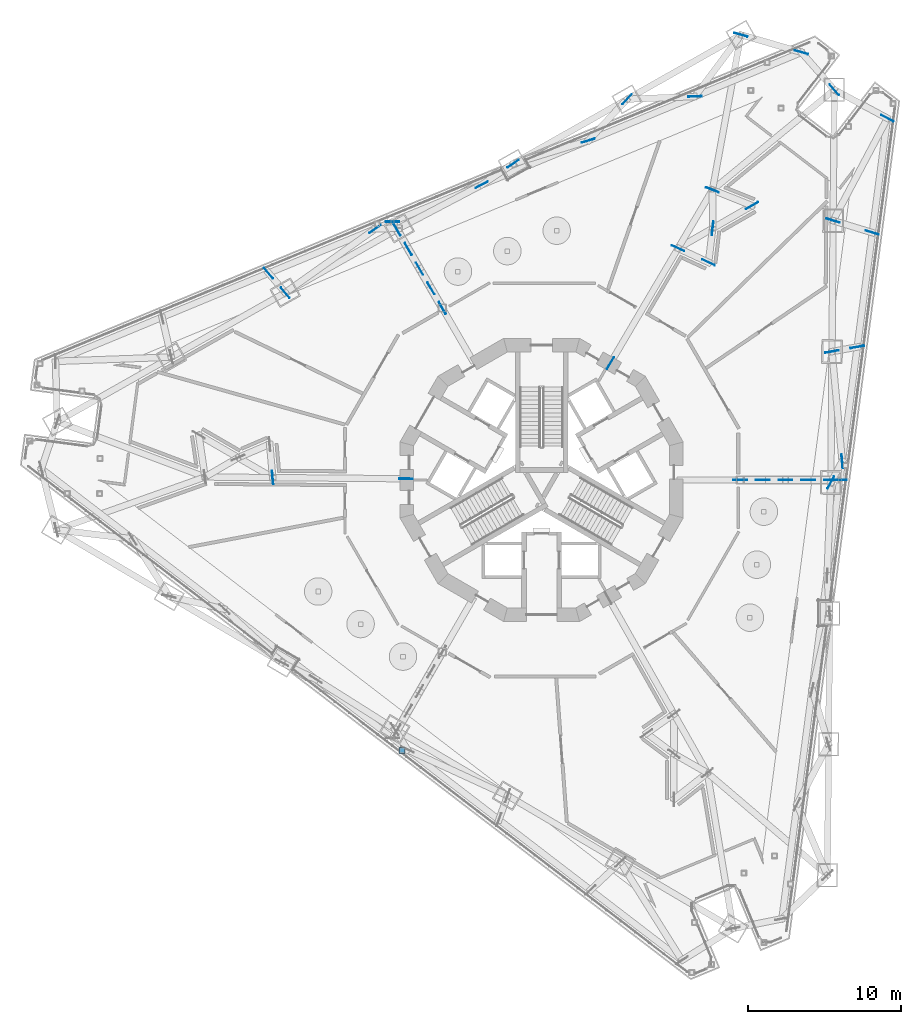
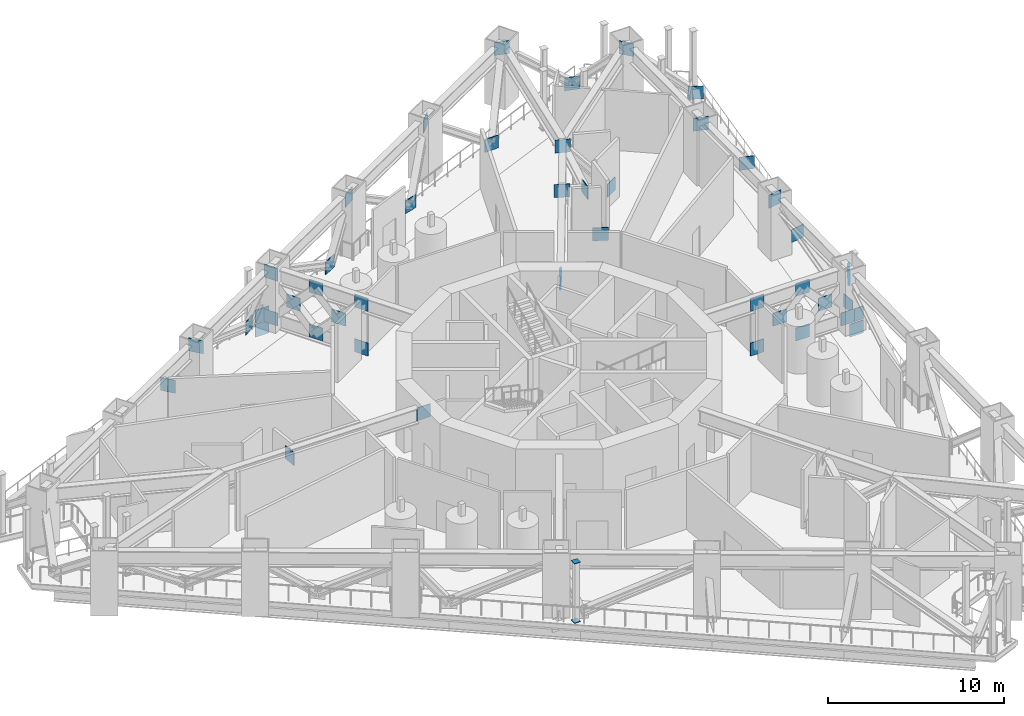
# One storey, part 14 of 23: 47 discrete accessories.
"""IFC4 building model written with IfcOpenShell, lengths in metres."""

from ifc_helpers import new_model, si_unit, direction, frame, origin, origin_2d, place, context, subcontext, project, spatial, rectangle, extrude, material, element, save


model = new_model("IFC4")

# Units and contexts
model_context = context("Model", 3, precision=1e-05, world=origin(), true_north=direction((0.0, 1.0)))
body_context = subcontext(model_context, "Body", "Model", "MODEL_VIEW")
ifc_project = project(units=[si_unit("LENGTHUNIT", "METRE"), si_unit("AREAUNIT", "SQUARE_METRE"), si_unit("VOLUMEUNIT", "CUBIC_METRE"), si_unit("PLANEANGLEUNIT", "RADIAN"), si_unit("MASSUNIT", "GRAM", prefix="KILO")], contexts=[model_context])

# Site, building, storey
site_placement = place(None, origin())
site = spatial("IfcSite", under=ifc_project, at=site_placement, CompositionType="ELEMENT")
building_placement = place(site_placement, origin())
building = spatial("IfcBuilding", under=site, at=building_placement, Name="Trine Commons Tower", CompositionType="ELEMENT")
storey_placement = place(building_placement, frame((0.0, 0.0, 156.60009765625)))
storey = spatial("IfcBuildingStorey", under=building, at=storey_placement, Name="L40", CompositionType="ELEMENT", Elevation=156.60009765625)

# Discrete accessories
ifc_material = material(Name="Structural steel ASTM A572 Gr50", Category="steel")
for number, where, z_axis, x_axis, name in (
    (1, (70.239990234375, 79.405029296875, -0.900146484375), (0.0, 0.0, 1.0), (1.0, 0.0, 0.0), "Gusset plate GP4-02"),
    (2, (99.520263671875, 62.5, -0.900146484375), (0.0, 0.0, 1.0), (1.0, 0.0, 0.0), "Gusset plate GP4-03"),
    (3, (62.128173828125, 76.044921875, 0.032470703125), (0.0, 0.0, 1.0), (0.646416992235, -0.762984319727, 0.0), "Gusset plate GP4-10"),
    (4, (69.105224609375, 78.93505859375, 0.032470703125), (0.0, 0.0, 1.0), (-0.81596610035, -0.578099751842, 0.0), "Gusset plate GP4-13"),
    (5, (76.08251953125, 81.8251953125, 0.032470703125), (0.0, 0.0, 1.0), (-0.885150113672, -0.465305573002, 0.0), "Gusset plate GP4-15"),
    (6, (83.0595703125, 84.715087890625, 0.032470703125), (0.0, 0.0, 1.0), (-0.955951966018, -0.293523148432, 0.0), "Gusset plate GP4-17"),
    (7, (90.03662109375, 87.60498046875, 0.032470703125), (0.0, 0.0, 1.0), (-0.999161853224, -0.040933984187, 0.0), "Gusset plate GP4-22"),
    (8, (90.93017578125, 76.744384765625, 0.032470703125), (0.0, 0.0, 1.0), (-0.907190928252, 0.420719169633, 0.0), "Gusset plate GP4-23"),
    (9, (93.7802734375, 80.458984375, 0.032470703125), (0.0, 0.0, 1.0), (-0.86661820567, -0.498971828464, 0.0), "Gusset plate GP4-24"),
    (10, (97.013671875, 90.4951171875, 0.032470703125), (0.0, 0.0, 1.0), (-0.960439633437, 0.278488259221, 0.0), "Gusset plate GP4-27"),
    (11, (99.680419921875, 63.717529296875, 0.032470703125), (0.0, 0.0, 1.0), (-0.092666020842, 0.995697247451, 0.0), "Gusset plate GP4-30"),
    (12, (100.666259765625, 71.204833984375, 0.032470703125), (0.0, 0.0, 1.0), (-0.983969187245, -0.178338550379, 0.0), "Gusset plate GP4-31"),
    (13, (101.652099609375, 78.692138671875, 0.032470703125), (0.0, 0.0, 1.0), (-0.956437331568, 0.291937717302, 0.0), "Gusset plate GP4-32"),
    (14, (102.6376953125, 86.1796875, 0.032470703125), (0.0, 0.0, 1.0), (-0.881097179009, 0.472935261047, 0.0), "Gusset plate GP4-33"),
    (15, (70.239990234375, 79.405029296875, 0.07373046875), (0.0, 0.0, 1.0), (1.0, 0.0, 0.0), "Gusset plate GP4-35"),
    (16, (70.531005859375, 78.90087890625, 0.07373046875), (0.0, 0.0, 1.0), (-0.499954654331, 0.866051582536, 0.0), "Gusset plate GP4-37"),
    (17, (72.015380859375, 76.32958984375, 0.07373046875), (0.0, 0.0, 1.0), (-0.5, 0.866025403784, 0.0), "Gusset plate GP4-39"),
    (18, (73.5, 73.75830078125, 0.07373046875), (0.0, 0.0, 1.0), (-0.5, 0.866025403784, 0.0), "Gusset plate GP4-41"),
    (19, (93.0, 62.5, 0.07373046875), (0.0, 0.0, 1.0), (1.0, 0.0, 0.0), "Gusset plate GP4-42"),
    (20, (95.968994140625, 62.5, 0.07373046875), (0.0, 0.0, 1.0), (1.0, 0.0, 0.0), "Gusset plate GP4-43"),
    (21, (98.938232421875, 62.5, 0.07373046875), (0.0, 0.0, 1.0), (1.0, 0.0, 0.0), "Gusset plate GP4-44"),
    (22, (99.520263671875, 62.5, 0.07373046875), (0.0, 0.0, 1.0), (1.0, 0.0, 0.0), "Gusset plate GP4-45"),
    (23, (71.273193359375, 77.615234375, 1.625), (0.0, 0.0, 1.0), (-0.500030229685, 0.866007949964, 0.0), "Gusset plate GP4-47"),
    (24, (72.7578125, 75.0439453125, 1.625), (0.0, 0.0, 1.0), (-0.5, 0.866025403784, 0.0), "Gusset plate GP4-49"),
    (25, (94.484619140625, 62.5, 1.625), (0.0, 0.0, 1.0), (1.0, 0.0, 0.0), "Gusset plate GP4-50"),
    (26, (97.45361328125, 62.5, 1.625), (0.0, 0.0, 1.0), (1.0, 0.0, 0.0), "Gusset plate GP4-51"),
    (27, (91.198486328125, 78.972412109375, 1.707763671875), (0.0, 0.0, 1.0), (0.119565031758, 0.992826371115, 0.0), "Gusset plate GP4-54"),
    (28, (62.39501953125, 62.653564453125, 3.176025390625), (0.0, 0.0, 1.0), (0.089224591698, -0.99601153218, 0.0), "Gusset plate GP4-60"),
    (29, (63.215087890625, 74.761962890625, 3.176025390625), (0.0, 0.0, 1.0), (0.646416992235, -0.762984319727, 0.0), "Gusset plate GP4-62"),
    (30, (70.531005859375, 78.90087890625, 3.176025390625), (0.0, 0.0, 1.0), (-0.5, 0.866025403784, 0.0), "Gusset plate GP4-64"),
    (31, (71.127197265625, 62.577392578125, 3.176025390625), (0.0, 0.0, 1.0), (-0.999961923064, 0.008726535498, 0.0), "Gusset plate GP4-65"),
    (32, (72.015380859375, 76.32958984375, 3.176025390625), (0.0, 0.0, 1.0), (-0.5, 0.866025403784, 0.0), "Gusset plate GP4-67"),
    (33, (73.5, 73.75830078125, 3.176025390625), (0.0, 0.0, 1.0), (-0.5, 0.866025403784, 0.0), "Gusset plate GP4-69"),
    (34, (78.13427734375, 83.202880859375, 3.176025390625), (0.0, 0.0, 1.0), (0.830206924295, 0.557455346062, 0.0), "Gusset plate GP4-71"),
    (35, (84.50341796875, 70.1455078125, 3.176025390625), (0.0, 0.0, 1.0), (0.507538362961, 0.861629160442, 0.0), "Gusset plate GP4-73"),
    (36, (85.59375, 87.423095703125, 3.176025390625), (0.0, 0.0, 1.0), (0.683286517313, 0.730150351132, 0.0), "Gusset plate GP4-75"),
    (37, (88.935546875, 77.66943359375, 3.176025390625), (0.0, 0.0, 1.0), (-0.907190928252, 0.420719169633, 0.0), "Gusset plate GP4-77"),
    (38, (91.185302734375, 81.488525390625, 3.176025390625), (0.0, 0.0, 1.0), (-0.929506386716, 0.36880601548, 0.0), "Gusset plate GP4-79"),
    (39, (93.0, 62.5, 3.176025390625), (0.0, 0.0, 1.0), (1.0, 0.0, 0.0), "Gusset plate GP4-81"),
    (40, (93.052978515625, 91.6435546875, 3.176025390625), (0.0, 0.0, 1.0), (-0.960439633437, 0.278488259221, 0.0), "Gusset plate GP4-82"),
    (41, (95.968994140625, 62.5, 3.176025390625), (0.0, 0.0, 1.0), (1.0, 0.0, 0.0), "Gusset plate GP4-83"),
    (42, (98.936767578125, 62.334716796875, 3.176025390625), (0.0, 0.0, 1.0), (-0.473642498704, -0.880717198323, 0.0), "Gusset plate GP4-87"),
    (43, (99.01171875, 70.905029296875, 3.176025390625), (0.0, 0.0, 1.0), (-0.983969187245, -0.178338550379, 0.0), "Gusset plate GP4-88"),
    (44, (99.08642578125, 79.475341796875, 3.176025390625), (0.0, 0.0, 1.0), (-0.956437331568, 0.291937717302, 0.0), "Gusset plate GP4-89"),
    (45, (99.1611328125, 88.045654296875, 3.176025390625), (0.0, 0.0, 1.0), (0.659253955619, -0.751920356155, 0.0), "Gusset plate GP4-90"),
):
    element("IfcDiscreteAccessory", number, at=place(storey_placement, frame(where, z_axis=z_axis, x_axis=x_axis)), inside=storey, material=ifc_material, Name=name, PredefinedType="BRACKET", context=body_context, shape_type="SweptSolid", body=[
        extrude(rectangle(XDim=0.89990234375, YDim=0.0400390625, at=origin_2d()), origin(), (0.0, 0.0, 1.0), 0.89990234375),
    ])
for number, where, z_axis, x_axis, name in (
    (46, (70.868408203125, 44.797607421875, 0.0), (0.0, 0.0, 1.0), (1.0, 0.0, 0.0), "Post base plate SP4-33"),
    (47, (70.868408203125, 44.797607421875, 4.1201171875), (0.0, 0.0, 1.0), (1.0, 0.0, 0.0), "Post cap plate SP4-33"),
):
    element("IfcDiscreteAccessory", number, at=place(storey_placement, frame(where, z_axis=z_axis, x_axis=x_axis)), inside=storey, material=ifc_material, Name=name, PredefinedType="BRACKET", context=body_context, shape_type="SweptSolid", body=[
        extrude(rectangle(XDim=0.39990234375, YDim=0.39990234375, at=origin_2d()), origin(), (0.0, 0.0, 1.0), 0.030029296875),
    ])

save(model, "model.ifc")
